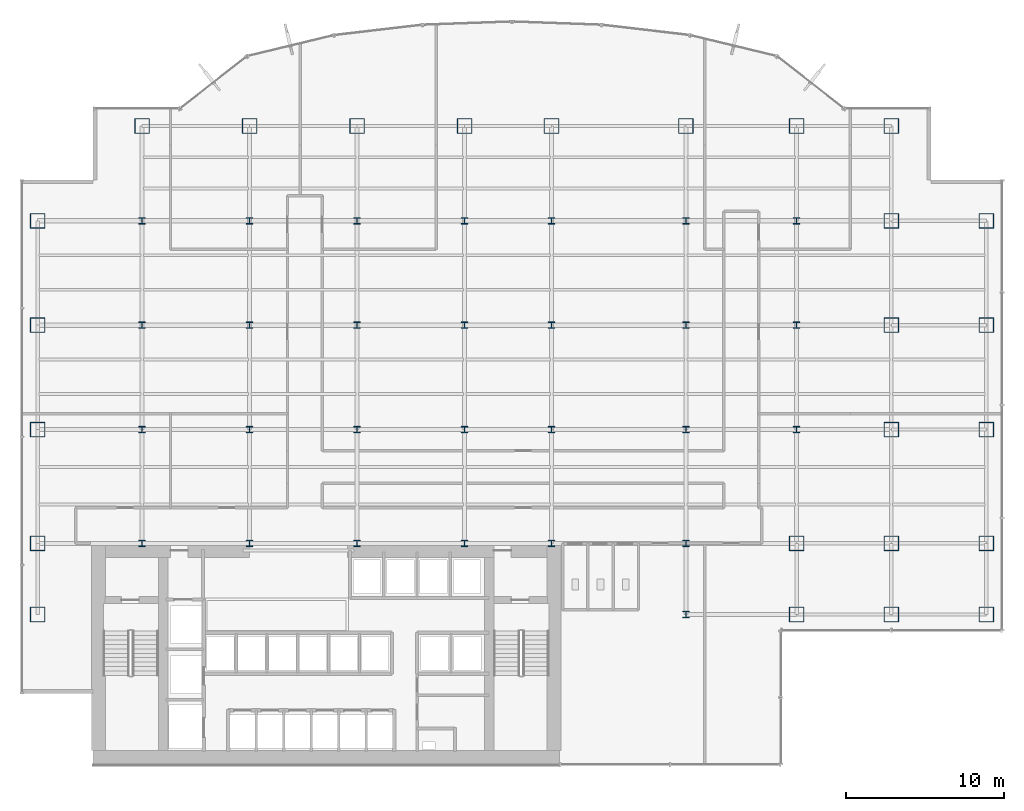
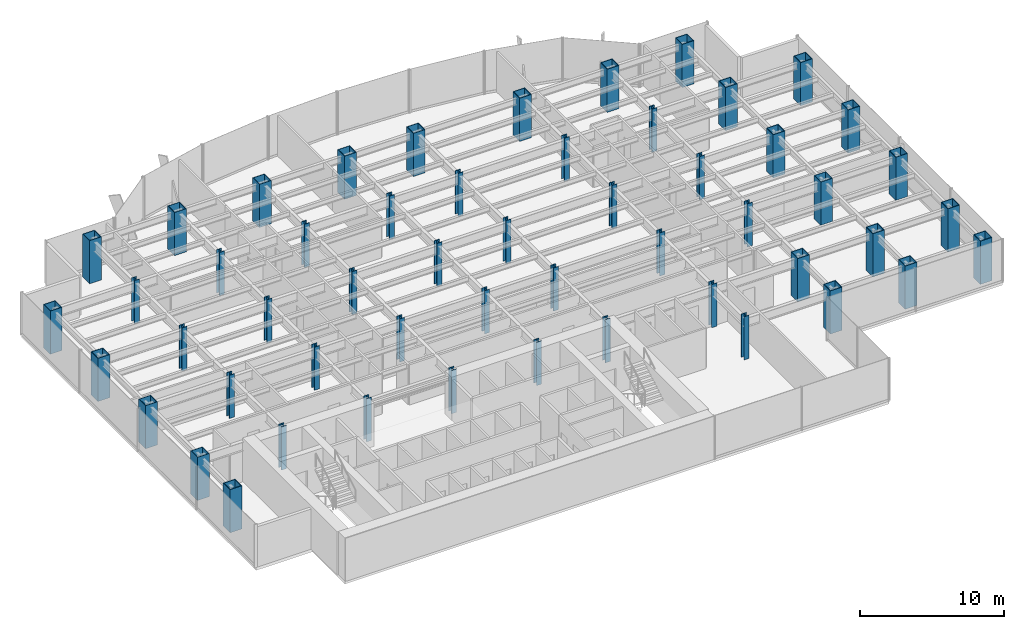
# One storey, part 1 of 22: 53 columns.
"""IFC4 building model written with IfcOpenShell, lengths in metres."""

from ifc_helpers import new_model, si_unit, derived_unit, direction, frame, origin, origin_2d, place, context, subcontext, project, spatial, hollow_rectangle, i_section, extrude, source, transform, mapped, material, material_profile, profile_set, type_object, element, save


model = new_model("IFC4")

# Units and contexts
model_context = context("Model", 3, precision=1e-05, world=origin(), true_north=direction((0.0, 1.0)))
body_context = subcontext(model_context, "Body", "Model", "MODEL_VIEW")
ifc_project = project(units=[si_unit("LENGTHUNIT", "METRE"), si_unit("AREAUNIT", "SQUARE_METRE"), si_unit("VOLUMEUNIT", "CUBIC_METRE"), si_unit("PLANEANGLEUNIT", "RADIAN"), si_unit("MASSUNIT", "GRAM", prefix="KILO"), derived_unit("THERMALTRANSMITTANCEUNIT", [(si_unit("POWERUNIT", "WATT"), 1), (si_unit("LENGTHUNIT", "METRE"), -2), (si_unit("THERMODYNAMICTEMPERATUREUNIT", "KELVIN"), -1)])], contexts=[model_context])

# Site, building, storey
site_placement = place(None, origin())
site = spatial("IfcSite", under=ifc_project, at=site_placement, CompositionType="ELEMENT")
building_placement = place(site_placement, origin())
building = spatial("IfcBuilding", under=site, at=building_placement, Name="Skarnbrae Concourse Arena and Tower", CompositionType="ELEMENT")
storey_placement = place(building_placement, frame((0.0, 0.0, 58.050048828125)))
storey = spatial("IfcBuildingStorey", under=building, at=storey_placement, Name="L13", CompositionType="ELEMENT", Elevation=58.050048828125)

# Columns
ifc_material = material(Name="Steel CSA G40.21 350W", Category="steel")
ifc_material_profile_1 = material_profile(ifc_material, hollow_rectangle(XDim=0.949951171875, YDim=0.949951171875, WallThickness=0.044921875, at=origin_2d()), Name="BOX950X950X45")
ifc_profile_set_1 = profile_set([ifc_material_profile_1], Name="Steel CSA G40.21 350W")
column_type_1 = type_object("IfcColumnType", Name="COL-TUBE-BOX950", PredefinedType="COLUMN", material=ifc_profile_set_1)
shared_shape_1 = source(origin(), body_context, "Body", "SweptSolid", [
    extrude(hollow_rectangle(XDim=0.949951171875, YDim=0.949951171875, WallThickness=0.044921875, at=origin_2d()), origin(), (0.0, 0.0, 1.0), 3.64990234375),
])
for number, where, z_axis, x_axis, name in (
    (1, (1.0, 9.5, 0.0), (0.0, 0.0, 1.0), (1.0, 0.0, 0.0), "L13 Tower column PC_01_01"),
    (2, (1.0, 14.0, 0.0), (0.0, 0.0, 1.0), (1.0, 0.0, 0.0), "L13 Tower column PC_01_02"),
    (3, (1.0, 21.199951171875, 0.0), (0.0, 0.0, 1.0), (1.0, 0.0, 0.0), "L13 Tower column PC_01_03"),
    (4, (1.0, 27.800048828125, 0.0), (0.0, 0.0, 1.0), (1.0, 0.0, 0.0), "L13 Tower column PC_01_04"),
    (5, (1.0, 34.39990234375, 0.0), (0.0, 0.0, 1.0), (1.0, 0.0, 0.0), "L13 Tower column PC_01_05"),
    (6, (7.60009765625, 40.39990234375, 0.0), (0.0, 0.0, 1.0), (1.0, 0.0, 0.0), "L13 Tower column PC_02_06"),
    (7, (14.39990234375, 40.39990234375, 0.0), (0.0, 0.0, 1.0), (1.0, 0.0, 0.0), "L13 Tower column PC_03_06"),
    (8, (21.199951171875, 40.39990234375, 0.0), (0.0, 0.0, 1.0), (1.0, 0.0, 0.0), "L13 Tower column PC_04_06"),
    (9, (28.0, 40.39990234375, 0.0), (0.0, 0.0, 1.0), (1.0, 0.0, 0.0), "L13 Tower column PC_05_06"),
    (10, (33.5, 40.39990234375, 0.0), (0.0, 0.0, 1.0), (1.0, 0.0, 0.0), "L13 Tower column PC_06_06"),
    (11, (42.0, 40.39990234375, 0.0), (0.0, 0.0, 1.0), (1.0, 0.0, 0.0), "L13 Tower column PC_07_06"),
    (12, (49.0, 9.5, 0.0), (0.0, 0.0, 1.0), (1.0, 0.0, 0.0), "L13 Tower column PC_08_01"),
    (13, (49.0, 14.0, 0.0), (0.0, 0.0, 1.0), (1.0, 0.0, 0.0), "L13 Tower column PC_08_02"),
    (14, (49.0, 40.39990234375, 0.0), (0.0, 0.0, 1.0), (1.0, 0.0, 0.0), "L13 Tower column PC_08_06"),
    (15, (55.0, 9.5, 0.0), (0.0, 0.0, 1.0), (1.0, 0.0, 0.0), "L13 Tower column PC_09_01"),
    (16, (55.0, 14.0, 0.0), (0.0, 0.0, 1.0), (1.0, 0.0, 0.0), "L13 Tower column PC_09_02"),
    (17, (55.0, 21.199951171875, 0.0), (0.0, 0.0, 1.0), (1.0, 0.0, 0.0), "L13 Tower column PC_09_03"),
    (18, (55.0, 27.800048828125, 0.0), (0.0, 0.0, 1.0), (1.0, 0.0, 0.0), "L13 Tower column PC_09_04"),
    (19, (55.0, 34.39990234375, 0.0), (0.0, 0.0, 1.0), (1.0, 0.0, 0.0), "L13 Tower column PC_09_05"),
    (20, (55.0, 40.39990234375, 0.0), (0.0, 0.0, 1.0), (1.0, 0.0, 0.0), "L13 Tower column PC_09_06"),
    (21, (61.0, 9.5, 0.0), (0.0, 0.0, 1.0), (1.0, 0.0, 0.0), "L13 Tower column PC_10_01"),
    (22, (61.0, 14.0, 0.0), (0.0, 0.0, 1.0), (1.0, 0.0, 0.0), "L13 Tower column PC_10_02"),
    (23, (61.0, 21.199951171875, 0.0), (0.0, 0.0, 1.0), (1.0, 0.0, 0.0), "L13 Tower column PC_10_03"),
    (24, (61.0, 27.800048828125, 0.0), (0.0, 0.0, 1.0), (1.0, 0.0, 0.0), "L13 Tower column PC_10_04"),
    (25, (61.0, 34.39990234375, 0.0), (0.0, 0.0, 1.0), (1.0, 0.0, 0.0), "L13 Tower column PC_10_05"),
):
    element("IfcColumn", number, at=place(storey_placement, frame(where, z_axis=z_axis, x_axis=x_axis)), inside=storey, type_object=column_type_1, Name=name, PredefinedType="COLUMN", context=body_context, shape_type="MappedRepresentation", body=[
        mapped(shared_shape_1, transform((0.0, 0.0, 0.0))),
    ])
ifc_material_profile_2 = material_profile(ifc_material, i_section(OverallWidth=0.406005859375, OverallDepth=0.416015625, WebThickness=0.02978515625, FlangeThickness=0.048095703125, at=origin_2d()), Name="W360X382")
ifc_profile_set_2 = profile_set([ifc_material_profile_2], Name="Steel CSA G40.21 350W")
column_type_2 = type_object("IfcColumnType", Name="COL-INT-W360X382", PredefinedType="COLUMN", material=ifc_profile_set_2)
shared_shape_2 = source(origin(), body_context, "Body", "SweptSolid", [
    extrude(i_section(OverallWidth=0.406005859375, OverallDepth=0.416015625, WebThickness=0.02978515625, FlangeThickness=0.048095703125, at=origin_2d()), origin(), (0.0, 0.0, 1.0), 3.64990234375),
])
for number, where, z_axis, x_axis, name in (
    (26, (7.60009765625, 14.0, 0.0), (0.0, 0.0, 1.0), (1.0, 0.0, 0.0), "L13 Tower column IC_02_02"),
    (27, (7.60009765625, 21.199951171875, 0.0), (0.0, 0.0, 1.0), (1.0, 0.0, 0.0), "L13 Tower column IC_02_03"),
    (28, (7.60009765625, 27.800048828125, 0.0), (0.0, 0.0, 1.0), (1.0, 0.0, 0.0), "L13 Tower column IC_02_04"),
    (29, (7.60009765625, 34.39990234375, 0.0), (0.0, 0.0, 1.0), (1.0, 0.0, 0.0), "L13 Tower column IC_02_05"),
    (30, (14.39990234375, 14.0, 0.0), (0.0, 0.0, 1.0), (1.0, 0.0, 0.0), "L13 Tower column IC_03_02"),
    (31, (14.39990234375, 21.199951171875, 0.0), (0.0, 0.0, 1.0), (1.0, 0.0, 0.0), "L13 Tower column IC_03_03"),
    (32, (14.39990234375, 27.800048828125, 0.0), (0.0, 0.0, 1.0), (1.0, 0.0, 0.0), "L13 Tower column IC_03_04"),
    (33, (14.39990234375, 34.39990234375, 0.0), (0.0, 0.0, 1.0), (1.0, 0.0, 0.0), "L13 Tower column IC_03_05"),
    (34, (21.199951171875, 14.0, 0.0), (0.0, 0.0, 1.0), (1.0, 0.0, 0.0), "L13 Tower column IC_04_02"),
    (35, (21.199951171875, 21.199951171875, 0.0), (0.0, 0.0, 1.0), (1.0, 0.0, 0.0), "L13 Tower column IC_04_03"),
    (36, (21.199951171875, 27.800048828125, 0.0), (0.0, 0.0, 1.0), (1.0, 0.0, 0.0), "L13 Tower column IC_04_04"),
    (37, (21.199951171875, 34.39990234375, 0.0), (0.0, 0.0, 1.0), (1.0, 0.0, 0.0), "L13 Tower column IC_04_05"),
    (38, (28.0, 14.0, 0.0), (0.0, 0.0, 1.0), (1.0, 0.0, 0.0), "L13 Tower column IC_05_02"),
    (39, (28.0, 21.199951171875, 0.0), (0.0, 0.0, 1.0), (1.0, 0.0, 0.0), "L13 Tower column IC_05_03"),
    (40, (28.0, 27.800048828125, 0.0), (0.0, 0.0, 1.0), (1.0, 0.0, 0.0), "L13 Tower column IC_05_04"),
    (41, (28.0, 34.39990234375, 0.0), (0.0, 0.0, 1.0), (1.0, 0.0, 0.0), "L13 Tower column IC_05_05"),
    (42, (33.5, 14.0, 0.0), (0.0, 0.0, 1.0), (1.0, 0.0, 0.0), "L13 Tower column IC_06_02"),
    (43, (33.5, 21.199951171875, 0.0), (0.0, 0.0, 1.0), (1.0, 0.0, 0.0), "L13 Tower column IC_06_03"),
    (44, (33.5, 27.800048828125, 0.0), (0.0, 0.0, 1.0), (1.0, 0.0, 0.0), "L13 Tower column IC_06_04"),
    (45, (33.5, 34.39990234375, 0.0), (0.0, 0.0, 1.0), (1.0, 0.0, 0.0), "L13 Tower column IC_06_05"),
    (46, (42.0, 9.5, 0.0), (0.0, 0.0, 1.0), (1.0, 0.0, 0.0), "L13 Tower column IC_07_01"),
    (47, (42.0, 14.0, 0.0), (0.0, 0.0, 1.0), (1.0, 0.0, 0.0), "L13 Tower column IC_07_02"),
    (48, (42.0, 21.199951171875, 0.0), (0.0, 0.0, 1.0), (1.0, 0.0, 0.0), "L13 Tower column IC_07_03"),
    (49, (42.0, 27.800048828125, 0.0), (0.0, 0.0, 1.0), (1.0, 0.0, 0.0), "L13 Tower column IC_07_04"),
    (50, (42.0, 34.39990234375, 0.0), (0.0, 0.0, 1.0), (1.0, 0.0, 0.0), "L13 Tower column IC_07_05"),
    (51, (49.0, 21.199951171875, 0.0), (0.0, 0.0, 1.0), (1.0, 0.0, 0.0), "L13 Tower column IC_08_03"),
    (52, (49.0, 27.800048828125, 0.0), (0.0, 0.0, 1.0), (1.0, 0.0, 0.0), "L13 Tower column IC_08_04"),
    (53, (49.0, 34.39990234375, 0.0), (0.0, 0.0, 1.0), (1.0, 0.0, 0.0), "L13 Tower column IC_08_05"),
):
    element("IfcColumn", number, at=place(storey_placement, frame(where, z_axis=z_axis, x_axis=x_axis)), inside=storey, type_object=column_type_2, Name=name, PredefinedType="COLUMN", context=body_context, shape_type="MappedRepresentation", body=[
        mapped(shared_shape_2, transform((0.0, 0.0, 0.0))),
    ])

save(model, "model.ifc")
